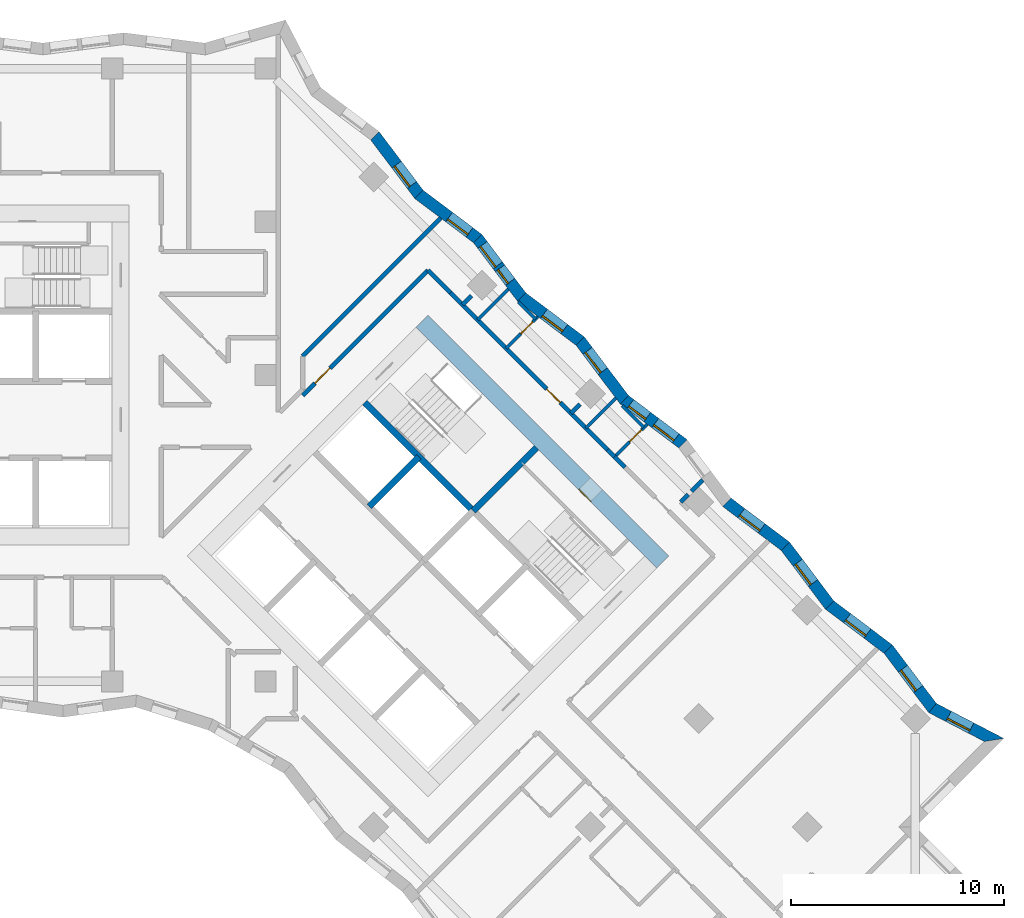
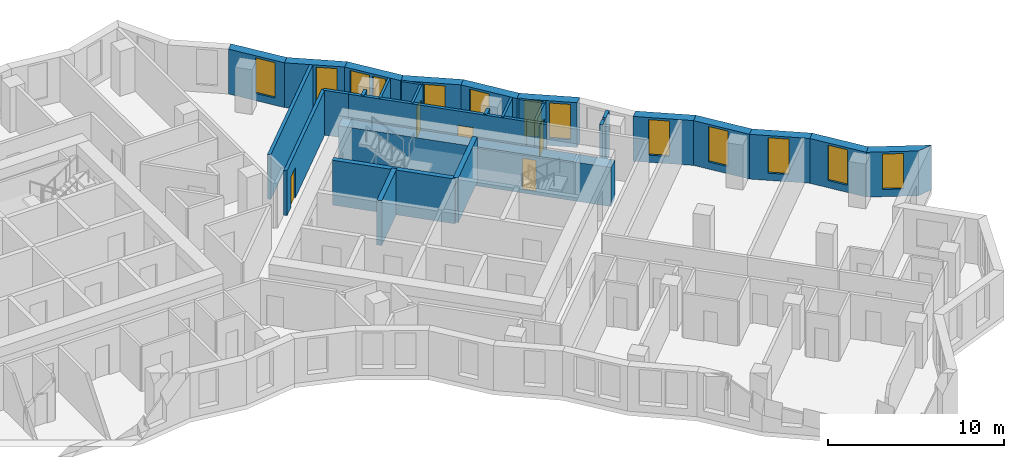
# One storey, part 10 of 13: 31 walls, 13 windows, 5 doors, 18 openings.
"""IFC4 building model written with IfcOpenShell, lengths in metres."""

import ifcopenshell
import ifcopenshell.guid

model = None  # the IFC model being written
_history = None  # IfcOwnerHistory: only IFC2X3 demands one
_inside = {}  # id of a spatial element -> (the spatial element, [elements in it])
_under = {}  # id of a project, library or spatial element -> (it, [spatial elements below it])
_declared = {}  # id of a project -> (the project, [libraries it declares])
_typed = {}  # id of a type object -> (the type object, [elements of that type])
_made_of = {}  # id of a material, layer set ... -> (it, [elements and type objects made of it])


def new_model(schema):
    """Start an empty IFC model of exactly this schema.

    Asked for "IFC4X3", IfcOpenShell would pick the latest addendum, in which some entities
    have other attributes; the version numbers below select the first issue.
    IFC2X3 requires an IfcOwnerHistory on every rooted entity: one is made here for all.
    """
    global model, _history
    if schema == "IFC4X3":
        model = ifcopenshell.file(schema_version=(4, 3, 0, 0))
    else:
        model = ifcopenshell.file(schema=schema)
    _inside.clear()
    _under.clear()
    _declared.clear()
    _typed.clear()
    _made_of.clear()
    _history = None
    if model.schema == "IFC2X3":
        org = make("IfcOrganization", Name="unknown")
        user = make(
            "IfcPersonAndOrganization",
            ThePerson=make("IfcPerson", FamilyName="unknown"),
            TheOrganization=org,
        )
        app = make(
            "IfcApplication",
            ApplicationDeveloper=org,
            Version="unknown",
            ApplicationFullName="unknown",
            ApplicationIdentifier="unknown",
        )
        _history = make(
            "IfcOwnerHistory",
            OwningUser=user,
            OwningApplication=app,
            ChangeAction="ADDED",
            CreationDate=0,
        )
    return model


def make(cls, **values):
    """One entity of the class cls with the attributes given. An attribute that is None is left unset."""
    return model.create_entity(
        cls, **{name: value for name, value in values.items() if value is not None}
    )


def rooted(cls, **values):
    """An entity with a GlobalId (a new one), such as an element, a storey or a relation."""
    return make(cls, GlobalId=ifcopenshell.guid.new(), OwnerHistory=_history, **values)


def si_unit(unit_type, name, prefix=None):
    """IfcSIUnit, for example si_unit("LENGTHUNIT", "METRE", prefix="MILLI")."""
    return make("IfcSIUnit", UnitType=unit_type, Prefix=prefix, Name=name)


def assignment(units):
    """IfcUnitAssignment: the units of a project."""
    return None if units is None else make("IfcUnitAssignment", Units=units)


def point(xyz):
    """IfcCartesianPoint."""
    return None if xyz is None else make("IfcCartesianPoint", Coordinates=xyz)


def direction(xyz):
    """IfcDirection."""
    return None if xyz is None else make("IfcDirection", DirectionRatios=xyz)


def frame(location, z_axis=None, x_axis=None):
    """IfcAxis2Placement3D, a coordinate frame: its origin and axes. An axis left out is left unset."""
    return make(
        "IfcAxis2Placement3D",
        Location=point(location),
        Axis=direction(z_axis),
        RefDirection=direction(x_axis),
    )


def frame_2d(location, x_axis=None):
    """IfcAxis2Placement2D, a coordinate frame in the plane: its origin and x axis."""
    return make(
        "IfcAxis2Placement2D", Location=point(location), RefDirection=direction(x_axis)
    )


def origin():
    """The frame at (0, 0, 0) with its axes left unset."""
    return frame((0.0, 0.0, 0.0))


def place(relative_to, where):
    """IfcLocalPlacement: puts the frame where relative to a parent placement (None: the world)."""
    return make(
        "IfcLocalPlacement", PlacementRelTo=relative_to, RelativePlacement=where
    )


def context(
    kind, dimensions, precision=None, world=None, true_north=None, identifier=None
):
    """IfcGeometricRepresentationContext, for example the 3D "Model" context."""
    return make(
        "IfcGeometricRepresentationContext",
        ContextIdentifier=identifier,
        ContextType=kind,
        CoordinateSpaceDimension=dimensions,
        Precision=precision,
        WorldCoordinateSystem=world,
        TrueNorth=true_north,
    )


def subcontext(parent, identifier, kind, view, scale=None):
    """IfcGeometricRepresentationSubContext, for example "Body" below "Model"."""
    return make(
        "IfcGeometricRepresentationSubContext",
        ContextIdentifier=identifier,
        ContextType=kind,
        ParentContext=parent,
        TargetScale=scale,
        TargetView=view,
    )


def project(units=None, contexts=None):
    """IfcProject with its units and contexts."""
    return rooted(
        "IfcProject",
        Name="project",
        RepresentationContexts=contexts,
        UnitsInContext=assignment(units),
    )


def spatial(cls, under=None, at=None, **own):
    """A site, building, storey or space (cls), placed at a placement, below another one or the project."""
    s = rooted(cls, ObjectPlacement=at, **own)
    if under is not None:
        _under.setdefault(under.id(), (under, []))[1].append(s)
    return s


def polyline(points):
    """IfcPolyline through the points."""
    return make("IfcPolyline", Points=[point(p) for p in points])


def profile(cls, at=None, kind="AREA", **sizes):
    """A parametric profile (cls). Its sizes go by their IFC names, for example OverallWidth=200.0."""
    return make(cls, ProfileType=kind, Position=at, **sizes)


def rectangle(**sizes):
    """IfcRectangleProfileDef."""
    return profile("IfcRectangleProfileDef", **sizes)


def outline(outer, holes=None, kind="AREA"):
    """IfcArbitraryClosedProfileDef: a profile drawn as a closed curve; with holes, ...WithVoids."""
    if holes is None:
        return make("IfcArbitraryClosedProfileDef", ProfileType=kind, OuterCurve=outer)
    return make(
        "IfcArbitraryProfileDefWithVoids",
        ProfileType=kind,
        OuterCurve=outer,
        InnerCurves=holes,
    )


def extrude(swept, where, along, depth):
    """IfcExtrudedAreaSolid: the profile swept, set in the frame where, extruded along a direction by depth."""
    return make(
        "IfcExtrudedAreaSolid",
        SweptArea=swept,
        Position=where,
        ExtrudedDirection=direction(along),
        Depth=depth,
    )


def shape(context_of_items, identifier, shape_type, items):
    """IfcShapeRepresentation: the items that make up one representation, for example the "Body"."""
    return make(
        "IfcShapeRepresentation",
        ContextOfItems=context_of_items,
        RepresentationIdentifier=identifier,
        RepresentationType=shape_type,
        Items=items,
    )


def material(Name=None, Category=None):
    """IfcMaterial."""
    return make("IfcMaterial", Name=Name, Category=Category)


def layer(
    of_material, thickness, ventilated=None, Name=None, Category=None, Priority=None
):
    """IfcMaterialLayer: one layer of a wall or slab, of a material (None: an air gap)."""
    return make(
        "IfcMaterialLayer",
        Material=of_material,
        LayerThickness=thickness,
        IsVentilated=ventilated,
        Name=Name,
        Category=Category,
        Priority=Priority,
    )


def layer_set(layers, Name=None):
    """IfcMaterialLayerSet."""
    return make("IfcMaterialLayerSet", MaterialLayers=layers, LayerSetName=Name)


def made_of(thing, what):
    """Note that an element or type object is made of a material, layer set ...; save() writes the relation."""
    if what is not None:
        _made_of.setdefault(what.id(), (what, []))[1].append(thing)
    return thing


def type_object(cls, material=None, **own):
    """A type object (cls), such as IfcWallType, which elements share."""
    return made_of(rooted(cls, **own), material)


def element(
    cls,
    number,
    at=None,
    inside=None,
    cuts=None,
    type_object=None,
    material=None,
    context=None,
    identifier="Body",
    shape_type=None,
    held_by="IfcProductDefinitionShape",
    body=None,
    shapes=None,
    **own,
):
    """One element of the class cls, such as IfcWall. Its Tag is "e" and its number.

    at: its placement. inside: the storey or other place that contains it. cuts: it is an
    opening in that element (IfcRelVoidsElement). A single representation is given by context,
    identifier, shape_type and body (its items); several are given by shapes. held_by: the class
    of the entity that holds the representations. save() writes the other relations.
    """
    e = rooted(cls, Tag="e%d" % number, ObjectPlacement=at, **own)
    if body is not None:
        shapes = [shape(context, identifier, shape_type, body)]
    if shapes is not None:
        e.Representation = make(held_by, Representations=shapes)
    if inside is not None:
        _inside.setdefault(inside.id(), (inside, []))[1].append(e)
    if cuts is not None:
        rooted(
            "IfcRelVoidsElement", RelatingBuildingElement=cuts, RelatedOpeningElement=e
        )
    if type_object is not None:
        _typed.setdefault(type_object.id(), (type_object, []))[1].append(e)
    return made_of(e, material)


def fill(opening, filler):
    """IfcRelFillsElement: the door or window that sits in an opening."""
    return rooted(
        "IfcRelFillsElement",
        RelatingOpeningElement=opening,
        RelatedBuildingElement=filler,
    )


def aggregate(whole, parts):
    """IfcRelAggregates: a whole, such as a stair, and the parts it consists of."""
    return rooted("IfcRelAggregates", RelatingObject=whole, RelatedObjects=parts)


def save(model, path):
    """Write the relations noted so far, then the file.

    IfcRelAggregates (storeys below a building ...), IfcRelContainedInSpatialStructure (elements
    in a storey), IfcRelDefinesByType, IfcRelAssociatesMaterial and IfcRelDeclares: one each for
    every whole, place, type object, material and project.
    """
    for whole, parts in _under.values():
        aggregate(whole, parts)
    for where, things in _inside.values():
        rooted(
            "IfcRelContainedInSpatialStructure",
            RelatedElements=things,
            RelatingStructure=where,
        )
    for kind, things in _typed.values():
        rooted("IfcRelDefinesByType", RelatedObjects=things, RelatingType=kind)
    for what, things in _made_of.values():
        rooted("IfcRelAssociatesMaterial", RelatedObjects=things, RelatingMaterial=what)
    for by, libraries in _declared.values():
        rooted("IfcRelDeclares", RelatingContext=by, RelatedDefinitions=libraries)
    model.write(path)


model = new_model("IFC4")

# Units and contexts
model_context = context("Model", 3, precision=1e-05, world=origin(), true_north=direction((0.0, 1.0)))
body_context = subcontext(model_context, "Body", "Model", "MODEL_VIEW")
ifc_project = project(units=[si_unit("LENGTHUNIT", "METRE"), si_unit("AREAUNIT", "SQUARE_METRE"), si_unit("VOLUMEUNIT", "CUBIC_METRE"), si_unit("PLANEANGLEUNIT", "RADIAN"), si_unit("MASSUNIT", "GRAM", prefix="KILO")], contexts=[model_context])

# Site, building, storey
site_placement = place(None, origin())
site = spatial("IfcSite", under=ifc_project, at=site_placement, CompositionType="ELEMENT")
building_placement = place(site_placement, origin())
building = spatial("IfcBuilding", under=site, at=building_placement, Name="Windrow Commons", CompositionType="ELEMENT")
storey_placement = place(building_placement, frame((0.0, 0.0, 101.6)))
storey = spatial("IfcBuildingStorey", under=building, at=storey_placement, Name="L27", CompositionType="ELEMENT", Elevation=101.6)

# Wall, opening, window
ifc_material_1 = material(Name="Brick masonry, red clay brick", Category="masonry")
ifc_layer_1 = layer(ifc_material_1, 0.55)
ifc_layer_set_1 = layer_set([ifc_layer_1], Name="Brick facade wall 550")
wall_type_1 = type_object("IfcWallType", Name="Brick facade wall 550", PredefinedType="SOLIDWALL", material=ifc_layer_set_1)
wall_1_placement = place(storey_placement, frame((113.446, 40.4497, 0.0), z_axis=(0.0, 0.0, 1.0), x_axis=(-0.8878203528, 0.4601902011, 0.0)))
wall_1 = element("IfcWall", 1, at=wall_1_placement, inside=storey, type_object=wall_type_1, Name="Brick facade wall L27 7", PredefinedType="SOLIDWALL", context=body_context, shape_type="SweptSolid", body=[
    extrude(outline(polyline([(-0.3758, -0.275), (3.2021, -0.275), (3.3273, 0.275), (0.3758, 0.275), (-0.3758, -0.275)])), origin(), (0.0, 0.0, 1.0), 3.1),
])
opening_1_placement = place(wall_1_placement, frame((1.2202, 0.0, 0.5)))
opening_1 = element("IfcOpeningElement", 2, at=opening_1_placement, cuts=wall_1, Name="Opening W7D", PredefinedType="OPENING", context=body_context, shape_type="SweptSolid", body=[
    extrude(rectangle(XDim=1.2, YDim=2.45, at=frame_2d((0.6, 1.225))), frame((0.0, 0.285, 0.0), z_axis=(0.0, -1.0, 0.0), x_axis=(1.0, 0.0, 0.0)), (0.0, 0.0, 1.0), 0.57),
])
ifc_material_2 = material(Name="Clear float glass in anodised aluminium frame", Category="aluminium")
window_type_1 = type_object("IfcWindowType", Name="Window W7 notch 1200x2450", PartitioningType="SINGLE_PANEL", PredefinedType="WINDOW", material=ifc_material_2)
window_1_placement = place(opening_1_placement, origin())
window_1 = element("IfcWindow", 3, at=window_1_placement, inside=storey, type_object=window_type_1, Name="Window L27 7.1", OverallHeight=2.45, OverallWidth=1.2, PartitioningType="SINGLE_PANEL", PredefinedType="WINDOW", context=body_context, shape_type="SweptSolid", body=[
    extrude(rectangle(XDim=1.2, YDim=2.45, at=frame_2d((0.6, 1.225))), frame((0.0, 0.155, 0.0), z_axis=(0.0, -1.0, 0.0), x_axis=(1.0, 0.0, 0.0)), (0.0, 0.0, 1.0), 0.06),
])
fill(opening_1, window_1)

wall_2_placement = place(storey_placement, frame((110.5475, 41.9521, 0.0), z_axis=(0.0, 0.0, 1.0), x_axis=(-0.6011988974, 0.7990994217, 0.0)))
wall_2 = element("IfcWall", 4, at=wall_2_placement, inside=storey, type_object=wall_type_1, Name="Brick facade wall L27 8", PredefinedType="SOLIDWALL", context=body_context, shape_type="SweptSolid", body=[
    extrude(outline(polyline([(0.0626, -0.275), (3.5069, -0.275), (3.4291, 0.275), (-0.0626, 0.275), (0.0626, -0.275)])), origin(), (0.0, 0.0, 1.0), 3.1),
])
opening_2_placement = place(wall_2_placement, frame((1.1146, 0.0, 0.5)))
opening_2 = element("IfcOpeningElement", 5, at=opening_2_placement, cuts=wall_2, Name="Opening W7D", PredefinedType="OPENING", context=body_context, shape_type="SweptSolid", body=[
    extrude(rectangle(XDim=1.2, YDim=2.45, at=frame_2d((0.6, 1.225))), frame((0.0, 0.285, 0.0), z_axis=(0.0, -1.0, 0.0), x_axis=(1.0, 0.0, 0.0)), (0.0, 0.0, 1.0), 0.57),
])
window_2_placement = place(opening_2_placement, origin())
window_2 = element("IfcWindow", 6, at=window_2_placement, inside=storey, type_object=window_type_1, Name="Window L27 8.1", OverallHeight=2.45, OverallWidth=1.2, PartitioningType="SINGLE_PANEL", PredefinedType="WINDOW", context=body_context, shape_type="SweptSolid", body=[
    extrude(rectangle(XDim=1.2, YDim=2.45, at=frame_2d((0.6, 1.225))), frame((0.0, 0.155, 0.0), z_axis=(0.0, -1.0, 0.0), x_axis=(1.0, 0.0, 0.0)), (0.0, 0.0, 1.0), 0.06),
])
fill(opening_2, window_2)

wall_3_placement = place(storey_placement, frame((108.4626, 44.7233, 0.0), z_axis=(0.0, 0.0, 1.0), x_axis=(-0.7991072191, 0.6011885331, 0.0)))
wall_3 = element("IfcWall", 7, at=wall_3_placement, inside=storey, type_object=wall_type_1, Name="Brick facade wall L27 9", PredefinedType="SOLIDWALL", context=body_context, shape_type="SweptSolid", body=[
    extrude(outline(polyline([(-0.0389, -0.275), (3.4054, -0.275), (3.4831, 0.275), (0.0389, 0.275), (-0.0389, -0.275)])), origin(), (0.0, 0.0, 1.0), 3.1),
])
opening_3_placement = place(wall_3_placement, frame((1.2136, 0.0, 0.5)))
opening_3 = element("IfcOpeningElement", 8, at=opening_3_placement, cuts=wall_3, Name="Opening W7D", PredefinedType="OPENING", context=body_context, shape_type="SweptSolid", body=[
    extrude(rectangle(XDim=1.2, YDim=2.45, at=frame_2d((0.6, 1.225))), frame((0.0, 0.285, 0.0), z_axis=(0.0, -1.0, 0.0), x_axis=(1.0, 0.0, 0.0)), (0.0, 0.0, 1.0), 0.57),
])
window_3_placement = place(opening_3_placement, origin())
window_3 = element("IfcWindow", 9, at=window_3_placement, inside=storey, type_object=window_type_1, Name="Window L27 9.1", OverallHeight=2.45, OverallWidth=1.2, PartitioningType="SINGLE_PANEL", PredefinedType="WINDOW", context=body_context, shape_type="SweptSolid", body=[
    extrude(rectangle(XDim=1.2, YDim=2.45, at=frame_2d((0.6, 1.225))), frame((0.0, 0.155, 0.0), z_axis=(0.0, -1.0, 0.0), x_axis=(1.0, 0.0, 0.0)), (0.0, 0.0, 1.0), 0.06),
])
fill(opening_3, window_3)

wall_4_placement = place(storey_placement, frame((105.7102, 46.794, 0.0), z_axis=(0.0, 0.0, 1.0), x_axis=(-0.6011839411, 0.7991106738, 0.0)))
wall_4 = element("IfcWall", 10, at=wall_4_placement, inside=storey, type_object=wall_type_1, Name="Brick facade wall L27 10", PredefinedType="SOLIDWALL", context=body_context, shape_type="SweptSolid", body=[
    extrude(outline(polyline([(0.0389, -0.275), (3.4831, -0.275), (3.4054, 0.275), (-0.0389, 0.275), (0.0389, -0.275)])), origin(), (0.0, 0.0, 1.0), 3.1),
])
opening_4_placement = place(wall_4_placement, frame((1.29, 0.0, 0.5)))
opening_4 = element("IfcOpeningElement", 11, at=opening_4_placement, cuts=wall_4, Name="Opening W7D", PredefinedType="OPENING", context=body_context, shape_type="SweptSolid", body=[
    extrude(rectangle(XDim=1.2, YDim=2.45, at=frame_2d((0.6, 1.225))), frame((0.0, 0.285, 0.0), z_axis=(0.0, -1.0, 0.0), x_axis=(1.0, 0.0, 0.0)), (0.0, 0.0, 1.0), 0.57),
])
window_4_placement = place(opening_4_placement, origin())
window_4 = element("IfcWindow", 12, at=window_4_placement, inside=storey, type_object=window_type_1, Name="Window L27 10.1", OverallHeight=2.45, OverallWidth=1.2, PartitioningType="SINGLE_PANEL", PredefinedType="WINDOW", context=body_context, shape_type="SweptSolid", body=[
    extrude(rectangle(XDim=1.2, YDim=2.45, at=frame_2d((0.6, 1.225))), frame((0.0, 0.155, 0.0), z_axis=(0.0, -1.0, 0.0), x_axis=(1.0, 0.0, 0.0)), (0.0, 0.0, 1.0), 0.06),
])
fill(opening_4, window_4)

wall_5_placement = place(storey_placement, frame((103.6396, 49.5463, 0.0), z_axis=(0.0, 0.0, 1.0), x_axis=(-0.7991072191, 0.6011885331, 0.0)))
wall_5 = element("IfcWall", 13, at=wall_5_placement, inside=storey, type_object=wall_type_1, Name="Brick facade wall L27 11", PredefinedType="SOLIDWALL", context=body_context, shape_type="SweptSolid", body=[
    extrude(outline(polyline([(-0.0389, -0.275), (3.4054, -0.275), (3.4831, 0.275), (0.0389, 0.275), (-0.0389, -0.275)])), origin(), (0.0, 0.0, 1.0), 3.1),
])
opening_5_placement = place(wall_5_placement, frame((1.4052, 0.0, 0.5)))
opening_5 = element("IfcOpeningElement", 14, at=opening_5_placement, cuts=wall_5, Name="Opening W7D", PredefinedType="OPENING", context=body_context, shape_type="SweptSolid", body=[
    extrude(rectangle(XDim=1.2, YDim=2.45, at=frame_2d((0.6, 1.225))), frame((0.0, 0.285, 0.0), z_axis=(0.0, -1.0, 0.0), x_axis=(1.0, 0.0, 0.0)), (0.0, 0.0, 1.0), 0.57),
])
window_5_placement = place(opening_5_placement, origin())
window_5 = element("IfcWindow", 15, at=window_5_placement, inside=storey, type_object=window_type_1, Name="Window L27 11.1", OverallHeight=2.45, OverallWidth=1.2, PartitioningType="SINGLE_PANEL", PredefinedType="WINDOW", context=body_context, shape_type="SweptSolid", body=[
    extrude(rectangle(XDim=1.2, YDim=2.45, at=frame_2d((0.6, 1.225))), frame((0.0, 0.155, 0.0), z_axis=(0.0, -1.0, 0.0), x_axis=(1.0, 0.0, 0.0)), (0.0, 0.0, 1.0), 0.06),
])
fill(opening_5, window_5)

# Wall, openings, windows
wall_6_placement = place(storey_placement, frame((98.8166, 54.3693, 0.0), z_axis=(0.0, 0.0, 1.0), x_axis=(-0.7990967254, 0.6012024813, 0.0)))
wall_6 = element("IfcWall", 16, at=wall_6_placement, inside=storey, type_object=wall_type_1, Name="Brick facade wall L27 13", PredefinedType="SOLIDWALL", context=body_context, shape_type="SweptSolid", body=[
    extrude(outline(polyline([(-0.0389, -0.275), (3.4054, -0.275), (3.4831, 0.275), (0.0389, 0.275), (-0.0389, -0.275)])), origin(), (0.0, 0.0, 1.0), 3.1),
])
opening_6_placement = place(wall_6_placement, frame((0.423, 0.0, 0.5)))
opening_6 = element("IfcOpeningElement", 17, at=opening_6_placement, cuts=wall_6, Name="Opening W7D", PredefinedType="OPENING", context=body_context, shape_type="SweptSolid", body=[
    extrude(rectangle(XDim=1.2, YDim=2.45, at=frame_2d((0.6, 1.225))), frame((0.0, 0.285, 0.0), z_axis=(0.0, -1.0, 0.0), x_axis=(1.0, 0.0, 0.0)), (0.0, 0.0, 1.0), 0.57),
])
opening_7_placement = place(wall_6_placement, frame((2.0951, 0.0, 0.45)))
opening_7 = element("IfcOpeningElement", 18, at=opening_7_placement, cuts=wall_6, Name="Opening W1S", PredefinedType="OPENING", context=body_context, shape_type="SweptSolid", body=[
    extrude(rectangle(XDim=1.0, YDim=2.5, at=frame_2d((0.5, 1.25))), frame((0.0, 0.285, 0.0), z_axis=(0.0, -1.0, 0.0), x_axis=(1.0, 0.0, 0.0)), (0.0, 0.0, 1.0), 0.57),
])
ifc_material_3 = material(Name="Clear float glass in anodised aluminium frame", Category="aluminium")
window_type_2 = type_object("IfcWindowType", Name="Window W1S slit 1000x2500", PartitioningType="SINGLE_PANEL", PredefinedType="WINDOW", material=ifc_material_3)
window_6_placement = place(opening_7_placement, origin())
window_6 = element("IfcWindow", 19, at=window_6_placement, inside=storey, type_object=window_type_2, Name="Window L27 13.1B", OverallHeight=2.5, OverallWidth=1.0, PartitioningType="SINGLE_PANEL", PredefinedType="WINDOW", context=body_context, shape_type="SweptSolid", body=[
    extrude(rectangle(XDim=1.0, YDim=2.5, at=frame_2d((0.5, 1.25))), frame((0.0, 0.155, 0.0), z_axis=(0.0, -1.0, 0.0), x_axis=(1.0, 0.0, 0.0)), (0.0, 0.0, 1.0), 0.06),
])
fill(opening_7, window_6)
window_7_placement = place(opening_6_placement, origin())
window_7 = element("IfcWindow", 20, at=window_7_placement, inside=storey, type_object=window_type_1, Name="Window L27 13.1A", OverallHeight=2.45, OverallWidth=1.2, PartitioningType="SINGLE_PANEL", PredefinedType="WINDOW", context=body_context, shape_type="SweptSolid", body=[
    extrude(rectangle(XDim=1.2, YDim=2.45, at=frame_2d((0.6, 1.225))), frame((0.0, 0.155, 0.0), z_axis=(0.0, -1.0, 0.0), x_axis=(1.0, 0.0, 0.0)), (0.0, 0.0, 1.0), 0.06),
])
fill(opening_6, window_7)

# Wall, opening, window
wall_7_placement = place(storey_placement, frame((96.0643, 56.44, 0.0), z_axis=(0.0, 0.0, 1.0), x_axis=(-0.6012024813, 0.7990967254, 0.0)))
wall_7 = element("IfcWall", 21, at=wall_7_placement, inside=storey, type_object=wall_type_1, Name="Brick facade wall L27 14", PredefinedType="SOLIDWALL", context=body_context, shape_type="SweptSolid", body=[
    extrude(outline(polyline([(0.0389, -0.275), (3.4831, -0.275), (3.4054, 0.275), (-0.0389, 0.275), (0.0389, -0.275)])), origin(), (0.0, 0.0, 1.0), 3.1),
])
opening_8_placement = place(wall_7_placement, frame((1.673, 0.0, 0.5)))
opening_8 = element("IfcOpeningElement", 22, at=opening_8_placement, cuts=wall_7, Name="Opening W7D", PredefinedType="OPENING", context=body_context, shape_type="SweptSolid", body=[
    extrude(rectangle(XDim=1.2, YDim=2.45, at=frame_2d((0.6, 1.225))), frame((0.0, 0.285, 0.0), z_axis=(0.0, -1.0, 0.0), x_axis=(1.0, 0.0, 0.0)), (0.0, 0.0, 1.0), 0.57),
])
window_8_placement = place(opening_8_placement, origin())
window_8 = element("IfcWindow", 23, at=window_8_placement, inside=storey, type_object=window_type_1, Name="Window L27 14.1", OverallHeight=2.45, OverallWidth=1.2, PartitioningType="SINGLE_PANEL", PredefinedType="WINDOW", context=body_context, shape_type="SweptSolid", body=[
    extrude(rectangle(XDim=1.2, YDim=2.45, at=frame_2d((0.6, 1.225))), frame((0.0, 0.155, 0.0), z_axis=(0.0, -1.0, 0.0), x_axis=(1.0, 0.0, 0.0)), (0.0, 0.0, 1.0), 0.06),
])
fill(opening_8, window_8)

wall_8_placement = place(storey_placement, frame((93.9936, 59.1923, 0.0), z_axis=(0.0, 0.0, 1.0), x_axis=(-0.7990967254, 0.6012024813, 0.0)))
wall_8 = element("IfcWall", 24, at=wall_8_placement, inside=storey, type_object=wall_type_1, Name="Brick facade wall L27 15", PredefinedType="SOLIDWALL", context=body_context, shape_type="SweptSolid", body=[
    extrude(outline(polyline([(-0.0389, -0.275), (3.4054, -0.275), (3.4831, 0.275), (0.0389, 0.275), (-0.0389, -0.275)])), origin(), (0.0, 0.0, 1.0), 3.1),
])
opening_9_placement = place(wall_8_placement, frame((0.9382, 0.0, 0.5)))
opening_9 = element("IfcOpeningElement", 25, at=opening_9_placement, cuts=wall_8, Name="Opening W7D", PredefinedType="OPENING", context=body_context, shape_type="SweptSolid", body=[
    extrude(rectangle(XDim=1.2, YDim=2.45, at=frame_2d((0.6, 1.225))), frame((0.0, 0.285, 0.0), z_axis=(0.0, -1.0, 0.0), x_axis=(1.0, 0.0, 0.0)), (0.0, 0.0, 1.0), 0.57),
])
window_9_placement = place(opening_9_placement, origin())
window_9 = element("IfcWindow", 26, at=window_9_placement, inside=storey, type_object=window_type_1, Name="Window L27 15.1", OverallHeight=2.45, OverallWidth=1.2, PartitioningType="SINGLE_PANEL", PredefinedType="WINDOW", context=body_context, shape_type="SweptSolid", body=[
    extrude(rectangle(XDim=1.2, YDim=2.45, at=frame_2d((0.6, 1.225))), frame((0.0, 0.155, 0.0), z_axis=(0.0, -1.0, 0.0), x_axis=(1.0, 0.0, 0.0)), (0.0, 0.0, 1.0), 0.06),
])
fill(opening_9, window_9)

# Wall, openings, windows
wall_9_placement = place(storey_placement, frame((91.2413, 61.263, 0.0), z_axis=(0.0, 0.0, 1.0), x_axis=(-0.6012024813, 0.7990967254, 0.0)))
wall_9 = element("IfcWall", 27, at=wall_9_placement, inside=storey, type_object=wall_type_1, Name="Brick facade wall L27 16", PredefinedType="SOLIDWALL", context=body_context, shape_type="SweptSolid", body=[
    extrude(outline(polyline([(0.0389, -0.275), (3.4831, -0.275), (3.4054, 0.275), (-0.0389, 0.275), (0.0389, -0.275)])), origin(), (0.0, 0.0, 1.0), 3.1),
])
opening_10_placement = place(wall_9_placement, frame((1.8645, 0.0, 0.5)))
opening_10 = element("IfcOpeningElement", 28, at=opening_10_placement, cuts=wall_9, Name="Opening W7D", PredefinedType="OPENING", context=body_context, shape_type="SweptSolid", body=[
    extrude(rectangle(XDim=1.2, YDim=2.45, at=frame_2d((0.6, 1.225))), frame((0.0, 0.285, 0.0), z_axis=(0.0, -1.0, 0.0), x_axis=(1.0, 0.0, 0.0)), (0.0, 0.0, 1.0), 0.57),
])
opening_11_placement = place(wall_9_placement, frame((0.8948, 0.0, 0.45)))
opening_11 = element("IfcOpeningElement", 29, at=opening_11_placement, cuts=wall_9, Name="Opening W1N", PredefinedType="OPENING", context=body_context, shape_type="SweptSolid", body=[
    extrude(rectangle(XDim=0.8, YDim=2.5, at=frame_2d((0.4, 1.25))), frame((0.0, 0.285, 0.0), z_axis=(0.0, -1.0, 0.0), x_axis=(1.0, 0.0, 0.0)), (0.0, 0.0, 1.0), 0.57),
])
ifc_material_4 = material(Name="Clear float glass in anodised aluminium frame", Category="aluminium")
window_type_3 = type_object("IfcWindowType", Name="Window W1N slit 800x2500", PartitioningType="SINGLE_PANEL", PredefinedType="WINDOW", material=ifc_material_4)
window_10_placement = place(opening_11_placement, origin())
window_10 = element("IfcWindow", 30, at=window_10_placement, inside=storey, type_object=window_type_3, Name="Window L27 16.1A", OverallHeight=2.5, OverallWidth=0.8, PartitioningType="SINGLE_PANEL", PredefinedType="WINDOW", context=body_context, shape_type="SweptSolid", body=[
    extrude(rectangle(XDim=0.8, YDim=2.5, at=frame_2d((0.4, 1.25))), frame((0.0, 0.155, 0.0), z_axis=(0.0, -1.0, 0.0), x_axis=(1.0, 0.0, 0.0)), (0.0, 0.0, 1.0), 0.06),
])
fill(opening_11, window_10)
window_11_placement = place(opening_10_placement, origin())
window_11 = element("IfcWindow", 31, at=window_11_placement, inside=storey, type_object=window_type_1, Name="Window L27 16.2", OverallHeight=2.45, OverallWidth=1.2, PartitioningType="SINGLE_PANEL", PredefinedType="WINDOW", context=body_context, shape_type="SweptSolid", body=[
    extrude(rectangle(XDim=1.2, YDim=2.45, at=frame_2d((0.6, 1.225))), frame((0.0, 0.155, 0.0), z_axis=(0.0, -1.0, 0.0), x_axis=(1.0, 0.0, 0.0)), (0.0, 0.0, 1.0), 0.06),
])
fill(opening_10, window_11)

# Wall, opening, window
wall_10_placement = place(storey_placement, frame((89.1706, 64.0153, 0.0), z_axis=(0.0, 0.0, 1.0), x_axis=(-0.7990967254, 0.6012024813, 0.0)))
wall_10 = element("IfcWall", 32, at=wall_10_placement, inside=storey, type_object=wall_type_1, Name="Brick facade wall L27 17", PredefinedType="SOLIDWALL", context=body_context, shape_type="SweptSolid", body=[
    extrude(outline(polyline([(-0.0389, -0.275), (3.4054, -0.275), (3.4831, 0.275), (0.0389, 0.275), (-0.0389, -0.275)])), origin(), (0.0, 0.0, 1.0), 3.1),
])
opening_12_placement = place(wall_10_placement, frame((0.477, 0.0, 0.5)))
opening_12 = element("IfcOpeningElement", 33, at=opening_12_placement, cuts=wall_10, Name="Opening W7D", PredefinedType="OPENING", context=body_context, shape_type="SweptSolid", body=[
    extrude(rectangle(XDim=1.2, YDim=2.45, at=frame_2d((0.6, 1.225))), frame((0.0, 0.285, 0.0), z_axis=(0.0, -1.0, 0.0), x_axis=(1.0, 0.0, 0.0)), (0.0, 0.0, 1.0), 0.57),
])
window_12_placement = place(opening_12_placement, origin())
window_12 = element("IfcWindow", 34, at=window_12_placement, inside=storey, type_object=window_type_1, Name="Window L27 17.1", OverallHeight=2.45, OverallWidth=1.2, PartitioningType="SINGLE_PANEL", PredefinedType="WINDOW", context=body_context, shape_type="SweptSolid", body=[
    extrude(rectangle(XDim=1.2, YDim=2.45, at=frame_2d((0.6, 1.225))), frame((0.0, 0.155, 0.0), z_axis=(0.0, -1.0, 0.0), x_axis=(1.0, 0.0, 0.0)), (0.0, 0.0, 1.0), 0.06),
])
fill(opening_12, window_12)

wall_11_placement = place(storey_placement, frame((86.4183, 66.086, 0.0), z_axis=(0.0, 0.0, 1.0), x_axis=(-0.6012024813, 0.7990967254, 0.0)))
wall_11 = element("IfcWall", 35, at=wall_11_placement, inside=storey, type_object=wall_type_1, Name="Brick facade wall L27 18", PredefinedType="SOLIDWALL", context=body_context, shape_type="SweptSolid", body=[
    extrude(outline(polyline([(0.0389, -0.275), (3.4831, -0.275), (3.4054, 0.275), (-0.0389, 0.275), (0.0389, -0.275)])), origin(), (0.0, 0.0, 1.0), 3.1),
])
opening_13_placement = place(wall_11_placement, frame((0.5533, 0.0, 0.5)))
opening_13 = element("IfcOpeningElement", 36, at=opening_13_placement, cuts=wall_11, Name="Opening W7D", PredefinedType="OPENING", context=body_context, shape_type="SweptSolid", body=[
    extrude(rectangle(XDim=1.2, YDim=2.45, at=frame_2d((0.6, 1.225))), frame((0.0, 0.285, 0.0), z_axis=(0.0, -1.0, 0.0), x_axis=(1.0, 0.0, 0.0)), (0.0, 0.0, 1.0), 0.57),
])
window_13_placement = place(opening_13_placement, origin())
window_13 = element("IfcWindow", 37, at=window_13_placement, inside=storey, type_object=window_type_1, Name="Window L27 18.1", OverallHeight=2.45, OverallWidth=1.2, PartitioningType="SINGLE_PANEL", PredefinedType="WINDOW", context=body_context, shape_type="SweptSolid", body=[
    extrude(rectangle(XDim=1.2, YDim=2.45, at=frame_2d((0.6, 1.225))), frame((0.0, 0.155, 0.0), z_axis=(0.0, -1.0, 0.0), x_axis=(1.0, 0.0, 0.0)), (0.0, 0.0, 1.0), 0.06),
])
fill(opening_13, window_13)

# Wall, opening, door
ifc_material_5 = material(Name="Blockwork partition", Category="masonry")
ifc_layer_2 = layer(ifc_material_5, 0.2)
ifc_layer_set_2 = layer_set([ifc_layer_2], Name="IW-CORRIDOR-200")
wall_type_2 = type_object("IfcWallType", Name="IW-CORRIDOR-200", PredefinedType="PARTITIONING", material=ifc_layer_set_2)
wall_12_placement = place(storey_placement, frame((87.8945, 61.4605, 0.0), z_axis=(0.0, 0.0, 1.0), x_axis=(0.7071067812, -0.7071067812, 0.0)))
wall_12 = element("IfcWall", 38, at=wall_12_placement, inside=storey, type_object=wall_type_2, Name="W-L27-W011", PredefinedType="PARTITIONING", context=body_context, shape_type="SweptSolid", body=[
    extrude(rectangle(XDim=10.4284, YDim=0.2, at=frame_2d((5.2142, 0.0))), origin(), (0.0, 0.0, 1.0), 3.1),
])
opening_14_placement = place(wall_12_placement, frame((6.3902, 0.0, 0.0)))
opening_14 = element("IfcOpeningElement", 39, at=opening_14_placement, cuts=wall_12, Name="Opening D109S", PredefinedType="OPENING", context=body_context, shape_type="SweptSolid", body=[
    extrude(rectangle(XDim=0.9, YDim=2.1, at=frame_2d((0.45, 1.05))), frame((0.0, 0.11, 0.0), z_axis=(0.0, -1.0, 0.0), x_axis=(1.0, 0.0, 0.0)), (0.0, 0.0, 1.0), 0.22),
])
ifc_material_6 = material(Name="Timber door leaf", Category="wood")
door_type_1 = type_object("IfcDoorType", Name="DT-BEDROOM-900", OperationType="SINGLE_SWING_LEFT", PredefinedType="DOOR", material=ifc_material_6)
door_1_placement = place(opening_14_placement, origin())
door_1 = element("IfcDoor", 40, at=door_1_placement, inside=storey, type_object=door_type_1, Name="D-L27-D037", OperationType="SINGLE_SWING_LEFT", OverallHeight=2.1, OverallWidth=0.9, PredefinedType="DOOR", context=body_context, shape_type="SweptSolid", body=[
    extrude(rectangle(XDim=0.9, YDim=2.1, at=frame_2d((0.45, 1.05))), frame((0.0, 0.025, 0.0), z_axis=(0.0, -1.0, 0.0), x_axis=(1.0, 0.0, 0.0)), (0.0, 0.0, 1.0), 0.05),
])
fill(opening_14, door_1)

wall_13_placement = place(storey_placement, frame((80.9512, 56.6408, 0.0), z_axis=(0.0, 0.0, 1.0), x_axis=(0.7071067812, 0.7071067812, 0.0)))
wall_13 = element("IfcWall", 41, at=wall_13_placement, inside=storey, type_object=wall_type_2, Name="W-L27-W018", PredefinedType="PARTITIONING", context=body_context, shape_type="SweptSolid", body=[
    extrude(rectangle(XDim=8.3212, YDim=0.2, at=frame_2d((4.1606, 0.0))), origin(), (0.0, 0.0, 1.0), 3.1),
])
opening_15_placement = place(wall_13_placement, frame((0.8162, 0.0, 0.0)))
opening_15 = element("IfcOpeningElement", 42, at=opening_15_placement, cuts=wall_13, Name="Opening D310F", PredefinedType="OPENING", context=body_context, shape_type="SweptSolid", body=[
    extrude(rectangle(XDim=1.0, YDim=2.1, at=frame_2d((0.5, 1.05))), frame((0.0, 0.11, 0.0), z_axis=(0.0, -1.0, 0.0), x_axis=(1.0, 0.0, 0.0)), (0.0, 0.0, 1.0), 0.22),
])
ifc_material_7 = material(Name="Timber door leaf", Category="wood")
door_type_2 = type_object("IfcDoorType", Name="DT-AMENITY-1000", OperationType="SINGLE_SWING_LEFT", PredefinedType="DOOR", material=ifc_material_7)
door_2_placement = place(opening_15_placement, origin())
door_2 = element("IfcDoor", 43, at=door_2_placement, inside=storey, type_object=door_type_2, Name="D-L27-D036", OperationType="SINGLE_SWING_RIGHT", OverallHeight=2.1, OverallWidth=1.0, PredefinedType="DOOR", context=body_context, shape_type="SweptSolid", body=[
    extrude(rectangle(XDim=1.0, YDim=2.1, at=frame_2d((0.5, 1.05))), frame((0.0, 0.025, 0.0), z_axis=(0.0, -1.0, 0.0), x_axis=(1.0, 0.0, 0.0)), (0.0, 0.0, 1.0), 0.05),
])
fill(opening_15, door_2)

# Walls
wall_14_placement = place(storey_placement, frame((86.838, 62.526, 0.0), z_axis=(0.0, 0.0, 1.0), x_axis=(0.70777292, -0.7064400143, 0.0)))
element("IfcWall", 44, at=wall_14_placement, inside=storey, type_object=wall_type_2, Name="W-L27-W133", PredefinedType="PARTITIONING", context=body_context, shape_type="SweptSolid", body=[
    extrude(rectangle(XDim=1.5005, YDim=0.2, at=frame_2d((0.7502, 0.0))), origin(), (0.0, 0.0, 1.0), 3.1),
])
wall_15_placement = place(storey_placement, frame((95.6089, 53.7609, 0.0), z_axis=(0.0, 0.0, 1.0), x_axis=(0.7056768426, -0.7085338339, 0.0)))
element("IfcWall", 45, at=wall_15_placement, inside=storey, type_object=wall_type_2, Name="W-L27-W144", PredefinedType="PARTITIONING", context=body_context, shape_type="SweptSolid", body=[
    extrude(rectangle(XDim=0.7, YDim=0.2, at=frame_2d((0.35, 0.0))), origin(), (0.0, 0.0, 1.0), 3.1),
])
wall_16_placement = place(storey_placement, frame((95.2707, 54.0887, 0.0), z_axis=(0.0, 0.0, 1.0), x_axis=(0.7049801586, -0.7092270271, 0.0)))
element("IfcWall", 46, at=wall_16_placement, inside=storey, type_object=wall_type_2, Name="W-L27-W157", PredefinedType="PARTITIONING", context=body_context, shape_type="SweptSolid", body=[
    extrude(rectangle(XDim=0.4709, YDim=0.2, at=frame_2d((0.2354, 0.0))), origin(), (0.0, 0.0, 1.0), 3.1),
])

# Wall, opening, door
ifc_material_8 = material(Name="Blockwork partition", Category="masonry")
ifc_layer_3 = layer(ifc_material_8, 0.15)
ifc_layer_set_3 = layer_set([ifc_layer_3], Name="IW-ENSUITE-150")
wall_type_3 = type_object("IfcWallType", Name="IW-ENSUITE-150", PredefinedType="PARTITIONING", material=ifc_layer_set_3)
wall_17_placement = place(storey_placement, frame((95.6053, 53.7587, 0.0), z_axis=(0.0, 0.0, 1.0), x_axis=(0.7071067812, 0.7071067812, 0.0)))
wall_17 = element("IfcWall", 47, at=wall_17_placement, inside=storey, type_object=wall_type_3, Name="W-L27-W100", PredefinedType="PARTITIONING", context=body_context, shape_type="SweptSolid", body=[
    extrude(rectangle(XDim=2.1649, YDim=0.15, at=frame_2d((1.0824, 0.0))), origin(), (0.0, 0.0, 1.0), 3.1),
])
opening_16_placement = place(wall_17_placement, frame((0.9967, 0.0, 0.0)))
opening_16 = element("IfcOpeningElement", 48, at=opening_16_placement, cuts=wall_17, Name="Opening D208N", PredefinedType="OPENING", context=body_context, shape_type="SweptSolid", body=[
    extrude(rectangle(XDim=0.8, YDim=2.1, at=frame_2d((0.4, 1.05))), frame((0.0, 0.085, 0.0), z_axis=(0.0, -1.0, 0.0), x_axis=(1.0, 0.0, 0.0)), (0.0, 0.0, 1.0), 0.17),
])
ifc_material_9 = material(Name="Timber door leaf", Category="wood")
door_type_3 = type_object("IfcDoorType", Name="DT-ENSUITE-800", OperationType="SINGLE_SWING_LEFT", PredefinedType="DOOR", material=ifc_material_9)
door_3_placement = place(opening_16_placement, origin())
door_3 = element("IfcDoor", 49, at=door_3_placement, inside=storey, type_object=door_type_3, Name="D-L27-D040", OperationType="SINGLE_SWING_RIGHT", OverallHeight=2.1, OverallWidth=0.8, PredefinedType="DOOR", context=body_context, shape_type="SweptSolid", body=[
    extrude(rectangle(XDim=0.8, YDim=2.1, at=frame_2d((0.4, 1.05))), frame((0.0, 0.025, 0.0), z_axis=(0.0, -1.0, 0.0), x_axis=(1.0, 0.0, 0.0)), (0.0, 0.0, 1.0), 0.05),
])
fill(opening_16, door_3)

wall_18_placement = place(storey_placement, frame((90.5131, 58.8489, 0.0), z_axis=(0.0, 0.0, 1.0), x_axis=(0.7071067812, 0.7071067812, 0.0)))
wall_18 = element("IfcWall", 50, at=wall_18_placement, inside=storey, type_object=wall_type_3, Name="W-L27-W103", PredefinedType="PARTITIONING", context=body_context, shape_type="SweptSolid", body=[
    extrude(rectangle(XDim=2.1127, YDim=0.15, at=frame_2d((1.0563, 0.0))), origin(), (0.0, 0.0, 1.0), 3.1),
])
opening_17_placement = place(wall_18_placement, frame((0.9722, 0.0, 0.0)))
opening_17 = element("IfcOpeningElement", 51, at=opening_17_placement, cuts=wall_18, Name="Opening D208N", PredefinedType="OPENING", context=body_context, shape_type="SweptSolid", body=[
    extrude(rectangle(XDim=0.8, YDim=2.1, at=frame_2d((0.4, 1.05))), frame((0.0, 0.085, 0.0), z_axis=(0.0, -1.0, 0.0), x_axis=(1.0, 0.0, 0.0)), (0.0, 0.0, 1.0), 0.17),
])
door_4_placement = place(opening_17_placement, origin())
door_4 = element("IfcDoor", 52, at=door_4_placement, inside=storey, type_object=door_type_3, Name="D-L27-D038", OperationType="SINGLE_SWING_RIGHT", OverallHeight=2.1, OverallWidth=0.8, PredefinedType="DOOR", context=body_context, shape_type="SweptSolid", body=[
    extrude(rectangle(XDim=0.8, YDim=2.1, at=frame_2d((0.4, 1.05))), frame((0.0, 0.025, 0.0), z_axis=(0.0, -1.0, 0.0), x_axis=(1.0, 0.0, 0.0)), (0.0, 0.0, 1.0), 0.05),
])
fill(opening_17, door_4)

# Walls
wall_19_placement = place(storey_placement, frame((89.1695, 60.1925, 0.0), z_axis=(0.0, 0.0, 1.0), x_axis=(0.7076447093, 0.7065684436, 0.0)))
element("IfcWall", 53, at=wall_19_placement, inside=storey, type_object=wall_type_3, Name="W-L27-W113", PredefinedType="PARTITIONING", context=body_context, shape_type="SweptSolid", body=[
    extrude(rectangle(XDim=2.0441, YDim=0.15, at=frame_2d((1.022, 0.0))), origin(), (0.0, 0.0, 1.0), 3.1),
])
wall_20_placement = place(storey_placement, frame((94.2609, 55.1011, 0.0), z_axis=(0.0, 0.0, 1.0), x_axis=(0.7065791742, 0.7076339948, 0.0)))
element("IfcWall", 54, at=wall_20_placement, inside=storey, type_object=wall_type_3, Name="W-L27-W114", PredefinedType="PARTITIONING", context=body_context, shape_type="SweptSolid", body=[
    extrude(rectangle(XDim=1.9909, YDim=0.15, at=frame_2d((0.9954, 0.0))), origin(), (0.0, 0.0, 1.0), 3.1),
])
wall_21_placement = place(storey_placement, frame((95.9656, 56.1613, 0.0), z_axis=(0.0, 0.0, 1.0), x_axis=(0.7071413797, -0.707072181, 0.0)))
element("IfcWall", 55, at=wall_21_placement, inside=storey, type_object=wall_type_3, Name="W-L27-W134", PredefinedType="PARTITIONING", context=body_context, shape_type="SweptSolid", body=[
    extrude(rectangle(XDim=1.4451, YDim=0.15, at=frame_2d((0.7226, 0.0))), origin(), (0.0, 0.0, 1.0), 3.1),
])
wall_22_placement = place(storey_placement, frame((91.0855, 61.0274, 0.0), z_axis=(0.0, 0.0, 1.0), x_axis=(0.7070628028, -0.7071507569, 0.0)))
element("IfcWall", 56, at=wall_22_placement, inside=storey, type_object=wall_type_3, Name="W-L27-W137", PredefinedType="PARTITIONING", context=body_context, shape_type="SweptSolid", body=[
    extrude(rectangle(XDim=1.137, YDim=0.15, at=frame_2d((0.5685, 0.0))), origin(), (0.0, 0.0, 1.0), 3.1),
])
ifc_material_10 = material(Name="Blockwork partition", Category="masonry")
ifc_layer_4 = layer(ifc_material_10, 0.2)
ifc_layer_set_4 = layer_set([ifc_layer_4], Name="IW-PARTY-200")
wall_type_4 = type_object("IfcWallType", Name="IW-PARTY-200", PredefinedType="PARTITIONING", material=ifc_layer_set_4)
wall_23_placement = place(storey_placement, frame((80.9489, 58.4771, 0.0), z_axis=(0.0, 0.0, 1.0), x_axis=(0.7071122255, 0.7071013368, 0.0)))
element("IfcWall", 57, at=wall_23_placement, inside=storey, type_object=wall_type_4, Name="W-L27-W016", PredefinedType="PARTITIONING", context=body_context, shape_type="SweptSolid", body=[
    extrude(rectangle(XDim=9.1838, YDim=0.2, at=frame_2d((4.5919, 0.0))), origin(), (0.0, 0.0, 1.0), 3.1),
])
wall_24_placement = place(storey_placement, frame((99.2156, 52.1364, 0.0), z_axis=(0.0, 0.0, 1.0), x_axis=(0.7071067812, 0.7071067812, 0.0)))
element("IfcWall", 58, at=wall_24_placement, inside=storey, type_object=wall_type_4, Name="W-L27-W143", PredefinedType="PARTITIONING", context=body_context, shape_type="SweptSolid", body=[
    extrude(rectangle(XDim=0.756, YDim=0.2, at=frame_2d((0.378, 0.0))), origin(), (0.0, 0.0, 1.0), 3.1),
])
for number, where, z_axis, x_axis, name in (
    (59, (93.5552, 55.8068, 0.0), (0.0, 0.0, 1.0), (0.7087923682, 0.7054171665, 0.0), "W-L27-W149"),
    (60, (88.4611, 60.9009, 0.0), (0.0, 0.0, 1.0), (0.7054171665, 0.7087923682, 0.0), "W-L27-W150"),
):
    element("IfcWall", number, at=place(storey_placement, frame(where, z_axis=z_axis, x_axis=x_axis)), inside=storey, type_object=wall_type_4, Name=name, PredefinedType="PARTITIONING", context=body_context, shape_type="SweptSolid", body=[
        extrude(rectangle(XDim=0.5926, YDim=0.2, at=frame_2d((0.2963, 0.0))), origin(), (0.0, 0.0, 1.0), 3.1),
    ])
wall_25_placement = place(storey_placement, frame((98.7116, 51.6324, 0.0), z_axis=(0.0, 0.0, 1.0), x_axis=(0.7071067812, 0.7071067812, 0.0)))
element("IfcWall", 61, at=wall_25_placement, inside=storey, type_object=wall_type_4, Name="W-L27-W153", PredefinedType="PARTITIONING", context=body_context, shape_type="SweptSolid", body=[
    extrude(rectangle(XDim=0.4978, YDim=0.2, at=frame_2d((0.2489, 0.0))), origin(), (0.0, 0.0, 1.0), 3.1),
])

# Wall, opening, door
ifc_material_11 = material(Name="Concrete C50/60", Category="concrete")
ifc_layer_5 = layer(ifc_material_11, 0.8)
ifc_layer_set_5 = layer_set([ifc_layer_5], Name="RC CORE WALL 800 C50/60")
wall_type_5 = type_object("IfcWallType", Name="RC CORE WALL 800 C50/60", PredefinedType="SHEAR", material=ifc_layer_set_5)
wall_26_placement = place(storey_placement, frame((86.5539, 60.1206, -0.3), z_axis=(0.0, 0.0, 1.0), x_axis=(0.7071067812, -0.7071067812, 0.0)))
wall_26 = element("IfcWall", 62, at=wall_26_placement, inside=storey, type_object=wall_type_5, Name="Core B wall outer-N", PredefinedType="SHEAR", context=body_context, shape_type="SweptSolid", body=[
    extrude(rectangle(XDim=16.0, YDim=0.8, at=frame_2d((8.0, 0.0))), origin(), (0.0, 0.0, 1.0), 2.7),
])
opening_18_placement = place(wall_26_placement, frame((10.8, 0.0, 0.3)))
opening_18 = element("IfcOpeningElement", 63, at=opening_18_placement, cuts=wall_26, Name="Opening D9", PredefinedType="OPENING", context=body_context, shape_type="SweptSolid", body=[
    extrude(rectangle(XDim=0.8, YDim=2.1, at=frame_2d((0.4, 1.05))), frame((0.0, 0.41, 0.0), z_axis=(0.0, -1.0, 0.0), x_axis=(1.0, 0.0, 0.0)), (0.0, 0.0, 1.0), 0.82),
])
ifc_material_12 = material(Name="Steel fire door leaf", Category="steel")
door_type_4 = type_object("IfcDoorType", Name="Riser access door 800", OperationType="SINGLE_SWING_LEFT", PredefinedType="DOOR", material=ifc_material_12)
door_5_placement = place(opening_18_placement, origin())
door_5 = element("IfcDoor", 64, at=door_5_placement, inside=storey, type_object=door_type_4, Name="Riser access door", OperationType="SINGLE_SWING_RIGHT", OverallHeight=2.1, OverallWidth=0.8, PredefinedType="DOOR", context=body_context, shape_type="SweptSolid", body=[
    extrude(rectangle(XDim=0.8, YDim=2.1, at=frame_2d((0.4, 1.05))), frame((0.0, -0.34, 0.0), z_axis=(0.0, -1.0, 0.0), x_axis=(1.0, 0.0, 0.0)), (0.0, 0.0, 1.0), 0.05),
])
fill(opening_18, door_5)

# Walls
ifc_material_13 = material(Name="Concrete C50/60", Category="concrete")
ifc_layer_6 = layer(ifc_material_13, 0.3)
ifc_layer_set_6 = layer_set([ifc_layer_6], Name="RC SHAFT WALL 300 C50/60")
wall_type_6 = type_object("IfcWallType", Name="RC SHAFT WALL 300 C50/60", PredefinedType="SOLIDWALL", material=ifc_layer_set_6)
wall_27_placement = place(storey_placement, frame((84.079, 51.4232, 0.0), z_axis=(0.0, 0.0, 1.0), x_axis=(0.7071219326, 0.7070916295, 0.0)))
element("IfcWall", 65, at=wall_27_placement, inside=storey, type_object=wall_type_6, Name="Core B wall shaft-N1", PredefinedType="SOLIDWALL", context=body_context, shape_type="SweptSolid", body=[
    extrude(rectangle(XDim=3.3, YDim=0.3, at=frame_2d((1.65, 0.0))), origin(), (0.0, 0.0, 1.0), 3.1),
])
wall_28_placement = place(storey_placement, frame((83.8669, 56.3022, 0.0), z_axis=(0.0, 0.0, 1.0), x_axis=(0.7071137256, -0.7070998367, 0.0)))
element("IfcWall", 66, at=wall_28_placement, inside=storey, type_object=wall_type_6, Name="Core B wall stair-S", PredefinedType="SOLIDWALL", context=body_context, shape_type="SweptSolid", body=[
    extrude(rectangle(XDim=7.2, YDim=0.3, at=frame_2d((3.6, 0.0))), origin(), (0.0, 0.0, 1.0), 3.1),
])
wall_29_placement = place(storey_placement, frame((88.9581, 51.2111, 0.0), z_axis=(0.0, 0.0, 1.0), x_axis=(0.7071067812, 0.7071067812, 0.0)))
element("IfcWall", 67, at=wall_29_placement, inside=storey, type_object=wall_type_6, Name="Core B wall stair-mid", PredefinedType="SOLIDWALL", context=body_context, shape_type="SweptSolid", body=[
    extrude(rectangle(XDim=4.1999, YDim=0.3, at=frame_2d((2.1, 0.0))), origin(), (0.0, 0.0, 1.0), 3.1),
])

save(model, "model.ifc")
